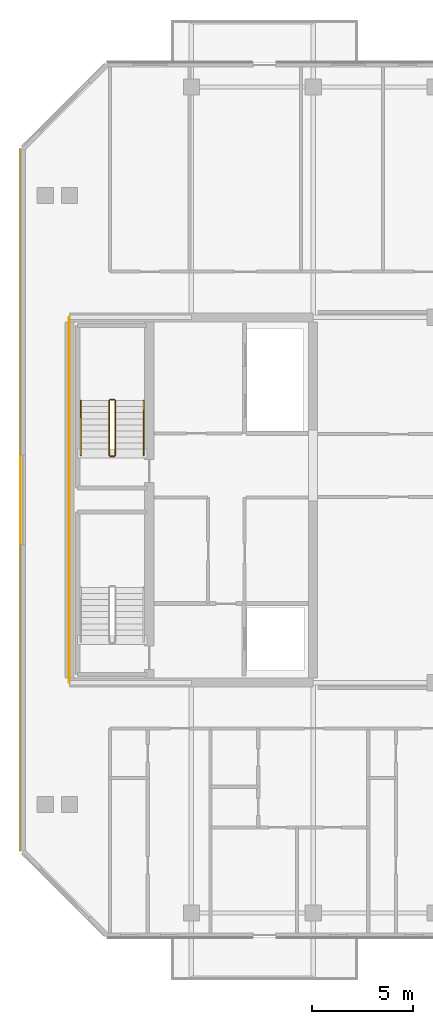
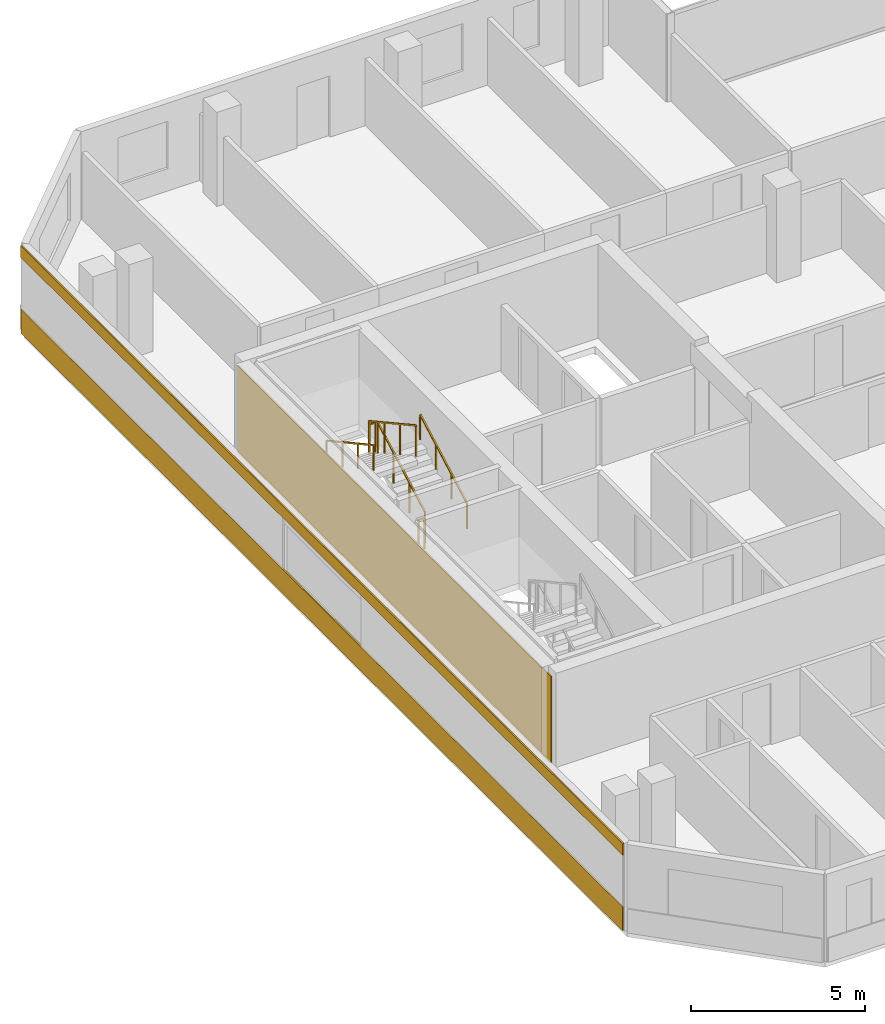
# One storey, part 14 of 16: 6 railings, 3 coverings.
"""IFC4 building model written with IfcOpenShell, lengths in metres."""

from ifc_helpers import new_model, si_unit, direction, frame, origin, origin_2d, place, context, subcontext, project, spatial, rectangle, extrude, material, layer, layer_set, type_object, element, save


model = new_model("IFC4")

# Units and contexts
model_context = context("Model", 3, precision=1e-05, world=origin(), true_north=direction((0.0, 1.0)))
body_context = subcontext(model_context, "Body", "Model", "MODEL_VIEW")
ifc_project = project(units=[si_unit("LENGTHUNIT", "METRE"), si_unit("AREAUNIT", "SQUARE_METRE"), si_unit("VOLUMEUNIT", "CUBIC_METRE"), si_unit("PLANEANGLEUNIT", "RADIAN"), si_unit("MASSUNIT", "GRAM", prefix="KILO")], contexts=[model_context])

# Site, building, storey
site_placement = place(None, origin())
site = spatial("IfcSite", under=ifc_project, at=site_placement, CompositionType="ELEMENT")
building_placement = place(site_placement, origin())
building = spatial("IfcBuilding", under=site, at=building_placement, Name="Tanjung Sevakor Pilgrim Tower", CompositionType="ELEMENT")
storey_placement = place(building_placement, frame((0.0, 0.0, 198.330078125)))
storey = spatial("IfcBuildingStorey", under=building, at=storey_placement, Name="L55", CompositionType="ELEMENT", Elevation=198.330078125)

# Coverings
ifc_material_1 = material(Name="Reconstructed Limestone Cladding", Category="masonry")
ifc_layer = layer(ifc_material_1, 0.044921875)
ifc_layer_set = layer_set([ifc_layer], Name="COV-CLAD-LIMESTONE")
covering_type = type_object("IfcCoveringType", Name="COV-CLAD-LIMESTONE", PredefinedType="CLADDING", material=ifc_layer_set)
covering_1_placement = place(storey_placement, frame((21.577392578125, 33.60009765625, 0.009765625), z_axis=(0.0, 0.0, 1.0), x_axis=(0.0, -1.0, 0.0)))
element("IfcCovering", 1, at=covering_1_placement, inside=storey, type_object=covering_type, Name="L55 Warm Limestone Sill Spandrel EW-L55-MAIN-15-1", PredefinedType="CLADDING", context=body_context, shape_type="SweptSolid", body=[
    extrude(rectangle(XDim=34.52880859375, YDim=0.044921875, at=origin_2d()), origin(), (0.0, 0.0, 1.0), 0.840087890625),
])
covering_2_placement = place(storey_placement, frame((21.577392578125, 33.60009765625, 2.66015625), z_axis=(0.0, 0.0, 1.0), x_axis=(0.0, -1.0, 0.0)))
element("IfcCovering", 2, at=covering_2_placement, inside=storey, type_object=covering_type, Name="L55 Warm Limestone Cornice Spandrel EW-L55-MAIN-15", PredefinedType="CLADDING", context=body_context, shape_type="SweptSolid", body=[
    extrude(rectangle(XDim=34.56884765625, YDim=0.044921875, at=origin_2d()), origin(), (0.0, 0.0, 1.0), 0.409912109375),
])
covering_3_placement = place(storey_placement, frame((23.9775390625, 33.60009765625, 0.02001953125), z_axis=(0.0, 0.0, 1.0), x_axis=(1.0, 0.0, 0.0)))
element("IfcCovering", 3, at=covering_3_placement, inside=storey, type_object=covering_type, Name="L55 Expressed Core Warm Limestone Cladding W", PredefinedType="CLADDING", context=body_context, shape_type="SweptSolid", body=[
    extrude(rectangle(XDim=0.044921875, YDim=18.0, at=origin_2d()), origin(), (0.0, 0.0, 1.0), 3.0400390625),
])

# Railings
ifc_material_2 = material(Name="Steel S355J2", Category="steel")
railing_type_1 = type_object("IfcRailingType", Name="RL-STAIR-GUARD", PredefinedType="GUARDRAIL", material=ifc_material_2)
railing_1_placement = place(storey_placement, frame((26.25, 35.800048828125, 0.1650390625)))
element("IfcRailing", 4, at=railing_1_placement, inside=storey, type_object=railing_type_1, Name="L55 TS-W2 stair guard 1", PredefinedType="GUARDRAIL", context=body_context, shape_type="SweptSolid", body=[
    extrude(rectangle(XDim=0.0479, YDim=0.0479), frame((0.0, 0.0, 1.076171875), z_axis=(0.0, 0.876230963923, 0.481891375584), x_axis=(-1.0, 0.0, 0.0)), (0.0, 0.0, 1.0), 3.081298828125),
    extrude(rectangle(XDim=0.042, YDim=0.042), origin(), (0.0, 0.0, 1.0), 1.052001953125),
    extrude(rectangle(XDim=0.042, YDim=0.042), frame((0.0, 0.89990234375, 0.494873046875)), (0.0, 0.0, 1.0), 1.052001953125),
    extrude(rectangle(XDim=0.042, YDim=0.042), frame((0.0, 1.800048828125, 0.989990234375)), (0.0, 0.0, 1.0), 1.052001953125),
    extrude(rectangle(XDim=0.042, YDim=0.042), frame((0.0, 2.699951171875, 1.48486328125)), (0.0, 0.0, 1.0), 1.052001953125),
])
railing_2_placement = place(storey_placement, frame((26.199951171875, 38.550048828125, 1.64990234375)))
element("IfcRailing", 5, at=railing_2_placement, inside=storey, type_object=railing_type_1, Name="L55 TS-W2 stair guard 2", PredefinedType="GUARDRAIL", context=body_context, shape_type="SweptSolid", body=[
    extrude(rectangle(XDim=0.0479, YDim=0.0479), frame((0.0, 0.0, 1.076171875), z_axis=(-1.0, 0.0, 0.0), x_axis=(0.0, -1.0, 0.0)), (0.0, 0.0, 1.0), 0.199951171875),
    extrude(rectangle(XDim=0.042, YDim=0.042), origin(), (0.0, 0.0, 1.0), 1.052001953125),
    extrude(rectangle(XDim=0.042, YDim=0.042), frame((-0.199951171875, 0.0, 0.0)), (0.0, 0.0, 1.0), 1.052001953125),
])
railing_3_placement = place(storey_placement, frame((25.949951171875, 38.5, 1.81494140625)))
element("IfcRailing", 6, at=railing_3_placement, inside=storey, type_object=railing_type_1, Name="L55 TS-W2 stair guard 3", PredefinedType="GUARDRAIL", context=body_context, shape_type="SweptSolid", body=[
    extrude(rectangle(XDim=0.0479, YDim=0.0479), frame((0.0, 0.0, 1.076171875), z_axis=(0.0, -0.876230963923, 0.481891375584), x_axis=(1.0, 0.0, 0.0)), (0.0, 0.0, 1.0), 3.081298828125),
    extrude(rectangle(XDim=0.042, YDim=0.042), origin(), (0.0, 0.0, 1.0), 1.052001953125),
    extrude(rectangle(XDim=0.042, YDim=0.042), frame((0.0, -0.89990234375, 0.494873046875)), (0.0, 0.0, 1.0), 1.052001953125),
    extrude(rectangle(XDim=0.042, YDim=0.042), frame((0.0, -1.800048828125, 0.989990234375)), (0.0, 0.0, 1.0), 1.052001953125),
    extrude(rectangle(XDim=0.042, YDim=0.042), frame((0.0, -2.699951171875, 1.48486328125)), (0.0, 0.0, 1.0), 1.052001953125),
])
railing_4_placement = place(storey_placement, frame((26.199951171875, 35.75, 0.0)))
element("IfcRailing", 7, at=railing_4_placement, inside=storey, type_object=railing_type_1, Name="L55 TS-W2 stair guard 4", PredefinedType="GUARDRAIL", context=body_context, shape_type="SweptSolid", body=[
    extrude(rectangle(XDim=0.0479, YDim=0.0479), frame((0.0, 0.0, 1.076171875), z_axis=(-1.0, 0.0, 0.0), x_axis=(0.0, -1.0, 0.0)), (0.0, 0.0, 1.0), 0.199951171875),
    extrude(rectangle(XDim=0.042, YDim=0.042), origin(), (0.0, 0.0, 1.0), 1.052001953125),
    extrude(rectangle(XDim=0.042, YDim=0.042), frame((-0.199951171875, 0.0, 0.0)), (0.0, 0.0, 1.0), 1.052001953125),
])
ifc_material_3 = material(Name="Steel S355J2", Category="steel")
railing_type_2 = type_object("IfcRailingType", Name="RL-STAIR-HAND", PredefinedType="HANDRAIL", material=ifc_material_3)
railing_5_placement = place(storey_placement, frame((27.64990234375, 35.800048828125, 0.1650390625)))
element("IfcRailing", 8, at=railing_5_placement, inside=storey, type_object=railing_type_2, Name="L55 TS-W2 stair handrail 1", PredefinedType="HANDRAIL", context=body_context, shape_type="SweptSolid", body=[
    extrude(rectangle(XDim=0.0479, YDim=0.0479), frame((0.0, 0.0, 0.8759765625), z_axis=(0.0, 0.876230963923, 0.481891375584), x_axis=(-1.0, 0.0, 0.0)), (0.0, 0.0, 1.0), 3.081298828125),
    extrude(rectangle(XDim=0.042, YDim=0.042), origin(), (0.0, 0.0, 1.0), 0.851806640625),
    extrude(rectangle(XDim=0.042, YDim=0.042), frame((0.0, 0.89990234375, 0.494873046875)), (0.0, 0.0, 1.0), 0.851806640625),
    extrude(rectangle(XDim=0.042, YDim=0.042), frame((0.0, 1.800048828125, 0.989990234375)), (0.0, 0.0, 1.0), 0.851806640625),
    extrude(rectangle(XDim=0.042, YDim=0.042), frame((0.0, 2.699951171875, 1.48486328125)), (0.0, 0.0, 1.0), 0.851806640625),
])
railing_6_placement = place(storey_placement, frame((24.550048828125, 38.5, 1.81494140625)))
element("IfcRailing", 9, at=railing_6_placement, inside=storey, type_object=railing_type_2, Name="L55 TS-W2 stair handrail 2", PredefinedType="HANDRAIL", context=body_context, shape_type="SweptSolid", body=[
    extrude(rectangle(XDim=0.0479, YDim=0.0479), frame((0.0, 0.0, 0.8759765625), z_axis=(0.0, -0.876230963923, 0.481891375584), x_axis=(1.0, 0.0, 0.0)), (0.0, 0.0, 1.0), 3.081298828125),
    extrude(rectangle(XDim=0.042, YDim=0.042), origin(), (0.0, 0.0, 1.0), 0.851806640625),
    extrude(rectangle(XDim=0.042, YDim=0.042), frame((0.0, -0.89990234375, 0.494873046875)), (0.0, 0.0, 1.0), 0.851806640625),
    extrude(rectangle(XDim=0.042, YDim=0.042), frame((0.0, -1.800048828125, 0.989990234375)), (0.0, 0.0, 1.0), 0.851806640625),
    extrude(rectangle(XDim=0.042, YDim=0.042), frame((0.0, -2.699951171875, 1.48486328125)), (0.0, 0.0, 1.0), 0.851806640625),
])

save(model, "model.ifc")
